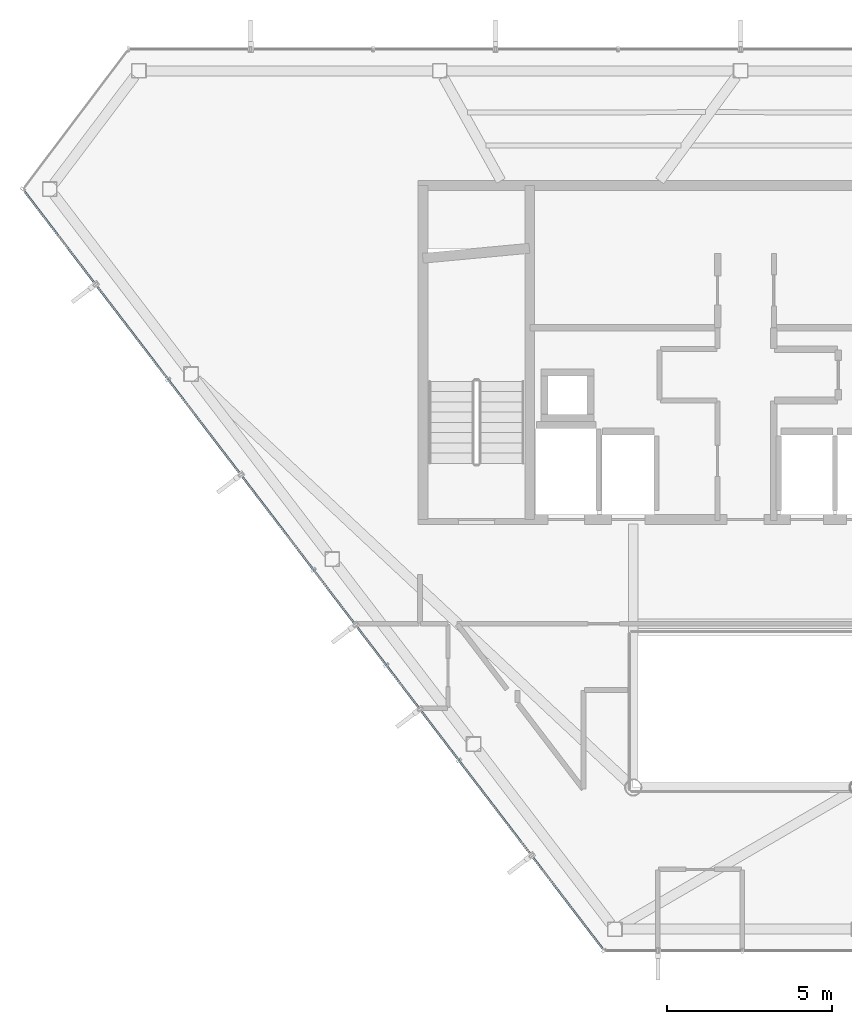
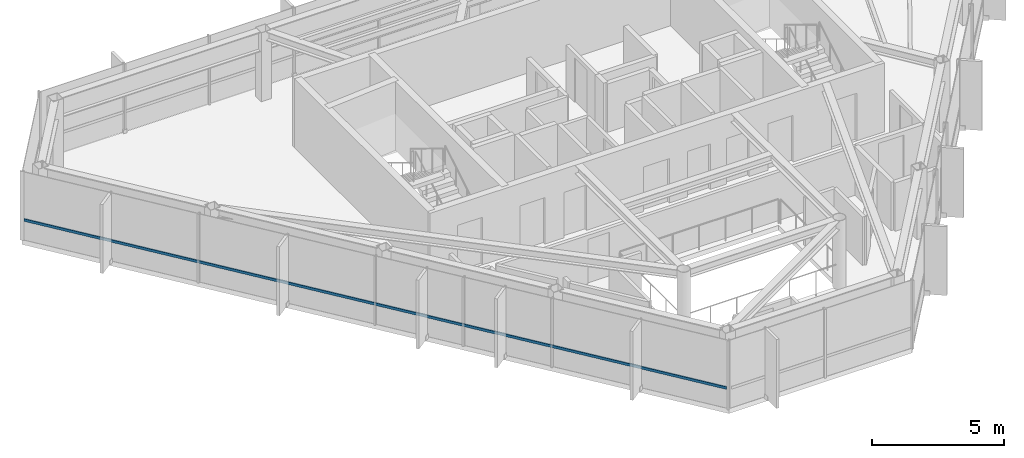
# One storey, part 4 of 22: 1 member, 1 element without a shape of its own.
"""IFC4 building model written with IfcOpenShell, lengths in metres."""

import ifcopenshell
import ifcopenshell.guid

model = None  # the IFC model being written
_history = None  # IfcOwnerHistory: only IFC2X3 demands one
_inside = {}  # id of a spatial element -> (the spatial element, [elements in it])
_under = {}  # id of a project, library or spatial element -> (it, [spatial elements below it])
_declared = {}  # id of a project -> (the project, [libraries it declares])
_typed = {}  # id of a type object -> (the type object, [elements of that type])
_made_of = {}  # id of a material, layer set ... -> (it, [elements and type objects made of it])


def new_model(schema):
    """Start an empty IFC model of exactly this schema.

    Asked for "IFC4X3", IfcOpenShell would pick the latest addendum, in which some entities
    have other attributes; the version numbers below select the first issue.
    IFC2X3 requires an IfcOwnerHistory on every rooted entity: one is made here for all.
    """
    global model, _history
    if schema == "IFC4X3":
        model = ifcopenshell.file(schema_version=(4, 3, 0, 0))
    else:
        model = ifcopenshell.file(schema=schema)
    _inside.clear()
    _under.clear()
    _declared.clear()
    _typed.clear()
    _made_of.clear()
    _history = None
    if model.schema == "IFC2X3":
        org = make("IfcOrganization", Name="unknown")
        user = make(
            "IfcPersonAndOrganization",
            ThePerson=make("IfcPerson", FamilyName="unknown"),
            TheOrganization=org,
        )
        app = make(
            "IfcApplication",
            ApplicationDeveloper=org,
            Version="unknown",
            ApplicationFullName="unknown",
            ApplicationIdentifier="unknown",
        )
        _history = make(
            "IfcOwnerHistory",
            OwningUser=user,
            OwningApplication=app,
            ChangeAction="ADDED",
            CreationDate=0,
        )
    return model


def make(cls, **values):
    """One entity of the class cls with the attributes given. An attribute that is None is left unset."""
    return model.create_entity(
        cls, **{name: value for name, value in values.items() if value is not None}
    )


def rooted(cls, **values):
    """An entity with a GlobalId (a new one), such as an element, a storey or a relation."""
    return make(cls, GlobalId=ifcopenshell.guid.new(), OwnerHistory=_history, **values)


def si_unit(unit_type, name, prefix=None):
    """IfcSIUnit, for example si_unit("LENGTHUNIT", "METRE", prefix="MILLI")."""
    return make("IfcSIUnit", UnitType=unit_type, Prefix=prefix, Name=name)


def assignment(units):
    """IfcUnitAssignment: the units of a project."""
    return None if units is None else make("IfcUnitAssignment", Units=units)


def point(xyz):
    """IfcCartesianPoint."""
    return None if xyz is None else make("IfcCartesianPoint", Coordinates=xyz)


def direction(xyz):
    """IfcDirection."""
    return None if xyz is None else make("IfcDirection", DirectionRatios=xyz)


def frame(location, z_axis=None, x_axis=None):
    """IfcAxis2Placement3D, a coordinate frame: its origin and axes. An axis left out is left unset."""
    return make(
        "IfcAxis2Placement3D",
        Location=point(location),
        Axis=direction(z_axis),
        RefDirection=direction(x_axis),
    )


def frame_2d(location, x_axis=None):
    """IfcAxis2Placement2D, a coordinate frame in the plane: its origin and x axis."""
    return make(
        "IfcAxis2Placement2D", Location=point(location), RefDirection=direction(x_axis)
    )


def origin():
    """The frame at (0, 0, 0) with its axes left unset."""
    return frame((0.0, 0.0, 0.0))


def origin_2d():
    """The frame at (0, 0) in the plane with its x axis left unset."""
    return frame_2d((0.0, 0.0))


def place(relative_to, where):
    """IfcLocalPlacement: puts the frame where relative to a parent placement (None: the world)."""
    return make(
        "IfcLocalPlacement", PlacementRelTo=relative_to, RelativePlacement=where
    )


def context(
    kind, dimensions, precision=None, world=None, true_north=None, identifier=None
):
    """IfcGeometricRepresentationContext, for example the 3D "Model" context."""
    return make(
        "IfcGeometricRepresentationContext",
        ContextIdentifier=identifier,
        ContextType=kind,
        CoordinateSpaceDimension=dimensions,
        Precision=precision,
        WorldCoordinateSystem=world,
        TrueNorth=true_north,
    )


def subcontext(parent, identifier, kind, view, scale=None):
    """IfcGeometricRepresentationSubContext, for example "Body" below "Model"."""
    return make(
        "IfcGeometricRepresentationSubContext",
        ContextIdentifier=identifier,
        ContextType=kind,
        ParentContext=parent,
        TargetScale=scale,
        TargetView=view,
    )


def project(units=None, contexts=None):
    """IfcProject with its units and contexts."""
    return rooted(
        "IfcProject",
        Name="project",
        RepresentationContexts=contexts,
        UnitsInContext=assignment(units),
    )


def spatial(cls, under=None, at=None, **own):
    """A site, building, storey or space (cls), placed at a placement, below another one or the project."""
    s = rooted(cls, ObjectPlacement=at, **own)
    if under is not None:
        _under.setdefault(under.id(), (under, []))[1].append(s)
    return s


def profile(cls, at=None, kind="AREA", **sizes):
    """A parametric profile (cls). Its sizes go by their IFC names, for example OverallWidth=200.0."""
    return make(cls, ProfileType=kind, Position=at, **sizes)


def hollow_rectangle(**sizes):
    """IfcRectangleHollowProfileDef."""
    return profile("IfcRectangleHollowProfileDef", **sizes)


def extrude(swept, where, along, depth):
    """IfcExtrudedAreaSolid: the profile swept, set in the frame where, extruded along a direction by depth."""
    return make(
        "IfcExtrudedAreaSolid",
        SweptArea=swept,
        Position=where,
        ExtrudedDirection=direction(along),
        Depth=depth,
    )


def shape(context_of_items, identifier, shape_type, items):
    """IfcShapeRepresentation: the items that make up one representation, for example the "Body"."""
    return make(
        "IfcShapeRepresentation",
        ContextOfItems=context_of_items,
        RepresentationIdentifier=identifier,
        RepresentationType=shape_type,
        Items=items,
    )


def material(Name=None, Category=None):
    """IfcMaterial."""
    return make("IfcMaterial", Name=Name, Category=Category)


def layer(
    of_material, thickness, ventilated=None, Name=None, Category=None, Priority=None
):
    """IfcMaterialLayer: one layer of a wall or slab, of a material (None: an air gap)."""
    return make(
        "IfcMaterialLayer",
        Material=of_material,
        LayerThickness=thickness,
        IsVentilated=ventilated,
        Name=Name,
        Category=Category,
        Priority=Priority,
    )


def layer_set(layers, Name=None):
    """IfcMaterialLayerSet."""
    return make("IfcMaterialLayerSet", MaterialLayers=layers, LayerSetName=Name)


def material_profile(
    of_material, cross_section, Name=None, Category=None, Priority=None
):
    """IfcMaterialProfile: a cross section and its material."""
    return make(
        "IfcMaterialProfile",
        Name=Name,
        Material=of_material,
        Profile=cross_section,
        Priority=Priority,
        Category=Category,
    )


def profile_set(profiles, Name=None, composite=None):
    """IfcMaterialProfileSet."""
    return make(
        "IfcMaterialProfileSet",
        Name=Name,
        MaterialProfiles=profiles,
        CompositeProfile=composite,
    )


def made_of(thing, what):
    """Note that an element or type object is made of a material, layer set ...; save() writes the relation."""
    if what is not None:
        _made_of.setdefault(what.id(), (what, []))[1].append(thing)
    return thing


def type_object(cls, material=None, **own):
    """A type object (cls), such as IfcWallType, which elements share."""
    return made_of(rooted(cls, **own), material)


def element(
    cls,
    number,
    at=None,
    inside=None,
    cuts=None,
    type_object=None,
    material=None,
    context=None,
    identifier="Body",
    shape_type=None,
    held_by="IfcProductDefinitionShape",
    body=None,
    shapes=None,
    **own,
):
    """One element of the class cls, such as IfcWall. Its Tag is "e" and its number.

    at: its placement. inside: the storey or other place that contains it. cuts: it is an
    opening in that element (IfcRelVoidsElement). A single representation is given by context,
    identifier, shape_type and body (its items); several are given by shapes. held_by: the class
    of the entity that holds the representations. save() writes the other relations.
    """
    e = rooted(cls, Tag="e%d" % number, ObjectPlacement=at, **own)
    if body is not None:
        shapes = [shape(context, identifier, shape_type, body)]
    if shapes is not None:
        e.Representation = make(held_by, Representations=shapes)
    if inside is not None:
        _inside.setdefault(inside.id(), (inside, []))[1].append(e)
    if cuts is not None:
        rooted(
            "IfcRelVoidsElement", RelatingBuildingElement=cuts, RelatedOpeningElement=e
        )
    if type_object is not None:
        _typed.setdefault(type_object.id(), (type_object, []))[1].append(e)
    return made_of(e, material)


def aggregate(whole, parts):
    """IfcRelAggregates: a whole, such as a stair, and the parts it consists of."""
    return rooted("IfcRelAggregates", RelatingObject=whole, RelatedObjects=parts)


def save(model, path):
    """Write the relations noted so far, then the file.

    IfcRelAggregates (storeys below a building ...), IfcRelContainedInSpatialStructure (elements
    in a storey), IfcRelDefinesByType, IfcRelAssociatesMaterial and IfcRelDeclares: one each for
    every whole, place, type object, material and project.
    """
    for whole, parts in _under.values():
        aggregate(whole, parts)
    for where, things in _inside.values():
        rooted(
            "IfcRelContainedInSpatialStructure",
            RelatedElements=things,
            RelatingStructure=where,
        )
    for kind, things in _typed.values():
        rooted("IfcRelDefinesByType", RelatedObjects=things, RelatingType=kind)
    for what, things in _made_of.values():
        rooted("IfcRelAssociatesMaterial", RelatedObjects=things, RelatingMaterial=what)
    for by, libraries in _declared.values():
        rooted("IfcRelDeclares", RelatingContext=by, RelatedDefinitions=libraries)
    model.write(path)


model = new_model("IFC4")

# Units and contexts
model_context = context("Model", 3, precision=1e-05, world=origin(), true_north=direction((0.0, 1.0)))
body_context = subcontext(model_context, "Body", "Model", "MODEL_VIEW")
ifc_project = project(units=[si_unit("LENGTHUNIT", "METRE"), si_unit("AREAUNIT", "SQUARE_METRE"), si_unit("VOLUMEUNIT", "CUBIC_METRE"), si_unit("PLANEANGLEUNIT", "RADIAN"), si_unit("MASSUNIT", "GRAM", prefix="KILO")], contexts=[model_context])

# Site, building, storey
site_placement = place(None, origin())
site = spatial("IfcSite", under=ifc_project, at=site_placement, CompositionType="ELEMENT")
building_placement = place(site_placement, origin())
building = spatial("IfcBuilding", under=site, at=building_placement, Name="Zarrinselat Tower", CompositionType="ELEMENT")
storey_placement = place(building_placement, frame((0.0, 0.0, 292.39990234375)))
storey = spatial("IfcBuildingStorey", under=building, at=storey_placement, Name="L75", CompositionType="ELEMENT", Elevation=292.39990234375)

# Curtain wall, member
ifc_material_1 = material(Name="Extruded Aluminium Alloy EN AW-6063 T6", Category="aluminium")
ifc_layer = layer(ifc_material_1, 0.169921875)
ifc_layer_set = layer_set([ifc_layer], Name="Extruded Aluminium Alloy EN AW-6063 T6")
curtain_wall_type = type_object("IfcCurtainWallType", Name="CWS-RES", PredefinedType="NOTDEFINED", material=ifc_layer_set)
curtain_wall_placement = place(storey_placement, origin())
curtain_wall = element("IfcCurtainWall", 1, at=curtain_wall_placement, inside=storey, type_object=curtain_wall_type, Name="L75 Unitised Curtain Wall CW-L75-E03", PredefinedType="NOTDEFINED")
ifc_material_2 = material(Name="Extruded Aluminium Alloy EN AW-6063 T6", Category="aluminium")
ifc_material_profile = material_profile(ifc_material_2, hollow_rectangle(XDim=0.06005859375, YDim=0.1201171875, WallThickness=0.00390625, at=origin_2d()), Name="RHS 120x60x4")
ifc_profile_set = profile_set([ifc_material_profile], Name="Extruded Aluminium Alloy EN AW-6063 T6")
member_type = type_object("IfcMemberType", Name="MEM-CW-TRN2", PredefinedType="USERDEFINED", material=ifc_profile_set)
member_placement = place(storey_placement, frame((16.599853515625, 43.216064453125, 0.9501953125), z_axis=(0.606798561208, -0.794855651119, 0.0), x_axis=(0.794855651119, 0.606798561208, 0.0)))
member = element("IfcMember", 2, at=member_placement, type_object=member_type, Name="CW-L75-E03 Transom 1", ObjectType="TRANSOM", PredefinedType="USERDEFINED", context=body_context, shape_type="SweptSolid", body=[
    extrude(hollow_rectangle(XDim=0.06005859375, YDim=0.1201171875, WallThickness=0.00390625, at=origin_2d()), origin(), (0.0, 0.0, 1.0), 28.78564453125),
])
aggregate(curtain_wall, [member])

save(model, "model.ifc")
